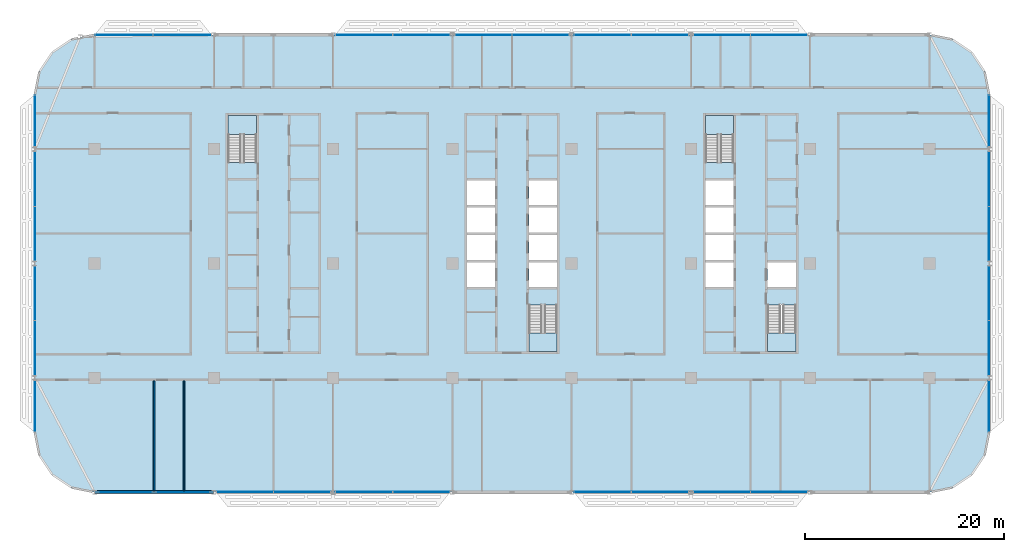
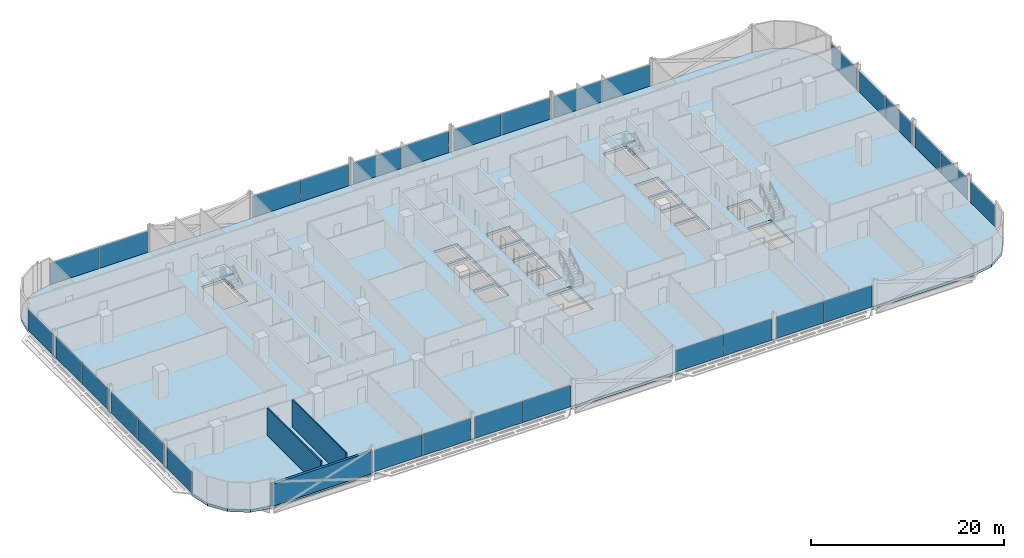
# One storey, part 10 of 27: 30 plates, 5 slabs, 3 walls, 21 elements without a shape of their own.
"""IFC4 building model written with IfcOpenShell, lengths in metres."""

from ifc_helpers import new_model, si_unit, direction, frame, frame_2d, origin, origin_2d, place, context, subcontext, project, spatial, polyline, rectangle, outline, extrude, material, layer, layer_set, type_object, element, aggregate, save


model = new_model("IFC4")

# Units and contexts
model_context = context("Model", 3, precision=1e-05, world=origin(), true_north=direction((0.0, 1.0)))
body_context = subcontext(model_context, "Body", "Model", "MODEL_VIEW")
ifc_project = project(units=[si_unit("LENGTHUNIT", "METRE"), si_unit("AREAUNIT", "SQUARE_METRE"), si_unit("VOLUMEUNIT", "CUBIC_METRE"), si_unit("PLANEANGLEUNIT", "RADIAN"), si_unit("MASSUNIT", "GRAM", prefix="KILO")], contexts=[model_context])

# Site, building, storey
site_placement = place(None, origin())
site = spatial("IfcSite", under=ifc_project, at=site_placement, CompositionType="ELEMENT")
building_placement = place(site_placement, origin())
building = spatial("IfcBuilding", under=site, at=building_placement, Name="Mahtab Terrace Research Tower", CompositionType="ELEMENT")
storey_placement = place(building_placement, frame((0.0, 0.0, 170.60009765625)))
storey = spatial("IfcBuildingStorey", under=building, at=storey_placement, Name="L40", CompositionType="ELEMENT", Elevation=170.60009765625)

# Stair, slab
ifc_material_1 = material(Name="Exit stair half-turn")
stair_type = type_object("IfcStairType", Name="Exit stair half-turn", PredefinedType="HALF_TURN_STAIR", material=ifc_material_1)
stair_1_placement = place(storey_placement, origin())
stair_1 = element("IfcStair", 1, at=stair_1_placement, inside=storey, type_object=stair_type, Name="L40 Protected exit stair ST1", PredefinedType="HALF_TURN_STAIR")
ifc_material_2 = material(Name="Concrete C40/50", Category="concrete")
ifc_layer_1 = layer(ifc_material_2, 0.199951171875)
ifc_layer_set_1 = layer_set([ifc_layer_1], Name="Exit stair landing 200")
slab_type_1 = type_object("IfcSlabType", Name="Exit stair landing 200", PredefinedType="LANDING", material=ifc_layer_set_1)
slab_1_placement = place(storey_placement, frame((0.0, 0.0, 1.699951171875)))
slab_1 = element("IfcSlab", 2, at=slab_1_placement, type_object=slab_type_1, Name="ST1 landing 1", PredefinedType="LANDING", context=body_context, shape_type="SweptSolid", body=[
    extrude(outline(polyline([(-25.699951171875, 12.97509765625), (-25.699951171875, 14.875), (-28.550048828125, 14.875), (-28.550048828125, 12.97509765625), (-25.699951171875, 12.97509765625)])), origin(), (0.0, 0.0, 1.0), 0.199951171875),
])
aggregate(stair_1, [slab_1])

stair_2_placement = place(storey_placement, origin())
stair_2 = element("IfcStair", 3, at=stair_2_placement, inside=storey, type_object=stair_type, Name="L40 Protected exit stair ST2", PredefinedType="HALF_TURN_STAIR")
slab_2_placement = place(storey_placement, frame((0.0, 0.0, 1.699951171875)))
slab_2 = element("IfcSlab", 4, at=slab_2_placement, type_object=slab_type_1, Name="ST2 landing 1", PredefinedType="LANDING", context=body_context, shape_type="SweptSolid", body=[
    extrude(outline(polyline([(1.699951171875, -6.97509765625), (1.699951171875, -8.875), (4.550048828125, -8.875), (4.550048828125, -6.97509765625), (1.699951171875, -6.97509765625)])), origin(), (0.0, 0.0, 1.0), 0.199951171875),
])
aggregate(stair_2, [slab_2])

stair_3_placement = place(storey_placement, origin())
stair_3 = element("IfcStair", 5, at=stair_3_placement, inside=storey, type_object=stair_type, Name="L40 Protected exit stair ST3", PredefinedType="HALF_TURN_STAIR")
slab_3_placement = place(storey_placement, frame((0.0, 0.0, 1.699951171875)))
slab_3 = element("IfcSlab", 6, at=slab_3_placement, type_object=slab_type_1, Name="ST3 landing 1", PredefinedType="LANDING", context=body_context, shape_type="SweptSolid", body=[
    extrude(outline(polyline([(22.300048828125, 12.97509765625), (22.300048828125, 14.875), (19.449951171875, 14.875), (19.449951171875, 12.97509765625), (22.300048828125, 12.97509765625)])), origin(), (0.0, 0.0, 1.0), 0.199951171875),
])
aggregate(stair_3, [slab_3])

stair_4_placement = place(storey_placement, origin())
stair_4 = element("IfcStair", 7, at=stair_4_placement, inside=storey, type_object=stair_type, Name="L40 Protected exit stair ST4", PredefinedType="HALF_TURN_STAIR")
slab_4_placement = place(storey_placement, frame((0.0, 0.0, 1.699951171875)))
slab_4 = element("IfcSlab", 8, at=slab_4_placement, type_object=slab_type_1, Name="ST4 landing 1", PredefinedType="LANDING", context=body_context, shape_type="SweptSolid", body=[
    extrude(outline(polyline([(25.699951171875, -6.97509765625), (25.699951171875, -8.875), (28.550048828125, -8.875), (28.550048828125, -6.97509765625), (25.699951171875, -6.97509765625)])), origin(), (0.0, 0.0, 1.0), 0.199951171875),
])
aggregate(stair_4, [slab_4])

# Curtain wall, plates
ifc_material_3 = material(Name="Laboratory ribbon curtain wall")
curtain_wall_type = type_object("IfcCurtainWallType", Name="Laboratory ribbon curtain wall", PredefinedType="NOTDEFINED", material=ifc_material_3)
curtain_wall_1_placement = place(storey_placement, origin())
curtain_wall_1 = element("IfcCurtainWall", 9, at=curtain_wall_1_placement, inside=storey, type_object=curtain_wall_type, Name="EN.L40.3.4", PredefinedType="NOTDEFINED")
ifc_material_4 = material(Name="Dark glazing", Category="glass")
ifc_layer_2 = layer(ifc_material_4, 0.031982421875)
ifc_layer_set_2 = layer_set([ifc_layer_2], Name="Laboratory ribbon curtain wall glazing panel")
plate_type = type_object("IfcPlateType", Name="Laboratory ribbon curtain wall glazing panel", PredefinedType="CURTAIN_PANEL", material=ifc_layer_set_2)
plate_1_placement = place(storey_placement, frame((26.879638671875, 23.0, 0.0), z_axis=(0.0, 0.0, 1.0), x_axis=(-1.0, 0.0, 0.0)))
plate_1 = element("IfcPlate", 10, at=plate_1_placement, type_object=plate_type, Name="CWL-5 panel 1", PredefinedType="CURTAIN_PANEL", context=body_context, shape_type="SweptSolid", body=[
    extrude(rectangle(XDim=5.694580078125, YDim=0.031982421875, at=origin_2d()), origin(), (0.0, 0.0, 1.0), 2.681884765625),
])
plate_2_placement = place(storey_placement, frame((21.120361328125, 23.0, 0.0), z_axis=(0.0, 0.0, 1.0), x_axis=(-1.0, 0.0, 0.0)))
plate_2 = element("IfcPlate", 11, at=plate_2_placement, type_object=plate_type, Name="CWL-5 panel 2", PredefinedType="CURTAIN_PANEL", context=body_context, shape_type="SweptSolid", body=[
    extrude(rectangle(XDim=5.694580078125, YDim=0.031982421875, at=origin_2d()), origin(), (0.0, 0.0, 1.0), 2.681884765625),
])
aggregate(curtain_wall_1, [plate_1, plate_2])

curtain_wall_2_placement = place(storey_placement, origin())
curtain_wall_2 = element("IfcCurtainWall", 12, at=curtain_wall_2_placement, inside=storey, type_object=curtain_wall_type, Name="EN.L40.3.5", PredefinedType="NOTDEFINED")
plate_3_placement = place(storey_placement, frame((14.879638671875, 23.0, 0.0), z_axis=(0.0, 0.0, 1.0), x_axis=(-1.0, 0.0, 0.0)))
plate_3 = element("IfcPlate", 13, at=plate_3_placement, type_object=plate_type, Name="CWL-5 panel 1", PredefinedType="CURTAIN_PANEL", context=body_context, shape_type="SweptSolid", body=[
    extrude(rectangle(XDim=5.694580078125, YDim=0.031982421875, at=origin_2d()), origin(), (0.0, 0.0, 1.0), 2.681884765625),
])
plate_4_placement = place(storey_placement, frame((9.120361328125, 23.0, 0.0), z_axis=(0.0, 0.0, 1.0), x_axis=(-1.0, 0.0, 0.0)))
plate_4 = element("IfcPlate", 14, at=plate_4_placement, type_object=plate_type, Name="CWL-5 panel 2", PredefinedType="CURTAIN_PANEL", context=body_context, shape_type="SweptSolid", body=[
    extrude(rectangle(XDim=5.694580078125, YDim=0.031982421875, at=origin_2d()), origin(), (0.0, 0.0, 1.0), 2.681884765625),
])
aggregate(curtain_wall_2, [plate_3, plate_4])

curtain_wall_3_placement = place(storey_placement, origin())
curtain_wall_3 = element("IfcCurtainWall", 15, at=curtain_wall_3_placement, inside=storey, type_object=curtain_wall_type, Name="EN.L40.3.6", PredefinedType="NOTDEFINED")
plate_5_placement = place(storey_placement, frame((2.879638671875, 23.0, 0.0), z_axis=(0.0, 0.0, 1.0), x_axis=(-1.0, 0.0, 0.0)))
plate_5 = element("IfcPlate", 16, at=plate_5_placement, type_object=plate_type, Name="CWL-5 panel 1", PredefinedType="CURTAIN_PANEL", context=body_context, shape_type="SweptSolid", body=[
    extrude(rectangle(XDim=5.694580078125, YDim=0.031982421875, at=origin_2d()), origin(), (0.0, 0.0, 1.0), 2.681884765625),
])
plate_6_placement = place(storey_placement, frame((-2.879638671875, 23.0, 0.0), z_axis=(0.0, 0.0, 1.0), x_axis=(-1.0, 0.0, 0.0)))
plate_6 = element("IfcPlate", 17, at=plate_6_placement, type_object=plate_type, Name="CWL-5 panel 2", PredefinedType="CURTAIN_PANEL", context=body_context, shape_type="SweptSolid", body=[
    extrude(rectangle(XDim=5.694580078125, YDim=0.031982421875, at=origin_2d()), origin(), (0.0, 0.0, 1.0), 2.681884765625),
])
aggregate(curtain_wall_3, [plate_5, plate_6])

curtain_wall_4_placement = place(storey_placement, origin())
curtain_wall_4 = element("IfcCurtainWall", 18, at=curtain_wall_4_placement, inside=storey, type_object=curtain_wall_type, Name="EN.L40.3.7", PredefinedType="NOTDEFINED")
plate_7_placement = place(storey_placement, frame((-9.120361328125, 23.0, 0.0), z_axis=(0.0, 0.0, 1.0), x_axis=(-1.0, 0.0, 0.0)))
plate_7 = element("IfcPlate", 19, at=plate_7_placement, type_object=plate_type, Name="CWL-5 panel 1", PredefinedType="CURTAIN_PANEL", context=body_context, shape_type="SweptSolid", body=[
    extrude(rectangle(XDim=5.694580078125, YDim=0.031982421875, at=origin_2d()), origin(), (0.0, 0.0, 1.0), 2.681884765625),
])
plate_8_placement = place(storey_placement, frame((-14.879638671875, 23.0, 0.0), z_axis=(0.0, 0.0, 1.0), x_axis=(-1.0, 0.0, 0.0)))
plate_8 = element("IfcPlate", 20, at=plate_8_placement, type_object=plate_type, Name="CWL-5 panel 2", PredefinedType="CURTAIN_PANEL", context=body_context, shape_type="SweptSolid", body=[
    extrude(rectangle(XDim=5.694580078125, YDim=0.031982421875, at=origin_2d()), origin(), (0.0, 0.0, 1.0), 2.681884765625),
])
aggregate(curtain_wall_4, [plate_7, plate_8])

curtain_wall_5_placement = place(storey_placement, origin())
curtain_wall_5 = element("IfcCurtainWall", 21, at=curtain_wall_5_placement, inside=storey, type_object=curtain_wall_type, Name="EN.L40.3.9", PredefinedType="NOTDEFINED")
plate_9_placement = place(storey_placement, frame((-33.17236328125, 23.0, 0.0), z_axis=(0.0, 0.0, 1.0), x_axis=(-1.0, 0.0, 0.0)))
plate_9 = element("IfcPlate", 22, at=plate_9_placement, type_object=plate_type, Name="CWL-5 panel 1", PredefinedType="CURTAIN_PANEL", context=body_context, shape_type="SweptSolid", body=[
    extrude(rectangle(XDim=5.798583984375, YDim=0.031982421875, at=origin_2d()), origin(), (0.0, 0.0, 1.0), 2.681884765625),
])
plate_10_placement = place(storey_placement, frame((-39.03564453125, 23.0, 0.0), z_axis=(0.0, 0.0, 1.0), x_axis=(-1.0, 0.0, 0.0)))
plate_10 = element("IfcPlate", 23, at=plate_10_placement, type_object=plate_type, Name="CWL-5 panel 2", PredefinedType="CURTAIN_PANEL", context=body_context, shape_type="SweptSolid", body=[
    extrude(rectangle(XDim=5.798583984375, YDim=0.031982421875, at=origin_2d()), origin(), (0.0, 0.0, 1.0), 2.681884765625),
])
aggregate(curtain_wall_5, [plate_9, plate_10])

# Curtain wall, plate
curtain_wall_6_placement = place(storey_placement, origin())
curtain_wall_6 = element("IfcCurtainWall", 24, at=curtain_wall_6_placement, inside=storey, type_object=curtain_wall_type, Name="EN.L40.8.15", PredefinedType="NOTDEFINED")
plate_11_placement = place(storey_placement, frame((-48.0, 14.35400390625, 0.0), z_axis=(0.0, 0.0, 1.0), x_axis=(0.0, -1.0, 0.0)))
plate_11 = element("IfcPlate", 25, at=plate_11_placement, type_object=plate_type, Name="CWL-5 panel 1", PredefinedType="CURTAIN_PANEL", context=body_context, shape_type="SweptSolid", body=[
    extrude(rectangle(XDim=5.162109375, YDim=0.031982421875, at=origin_2d()), origin(), (0.0, 0.0, 1.0), 2.681884765625),
])
aggregate(curtain_wall_6, [plate_11])

# Curtain wall, plates
curtain_wall_7_placement = place(storey_placement, origin())
curtain_wall_7 = element("IfcCurtainWall", 26, at=curtain_wall_7_placement, inside=storey, type_object=curtain_wall_type, Name="EN.L40.8.16", PredefinedType="NOTDEFINED")
plate_12_placement = place(storey_placement, frame((-48.0, 8.504638671875, 0.0), z_axis=(0.0, 0.0, 1.0), x_axis=(0.0, -1.0, 0.0)))
plate_12 = element("IfcPlate", 27, at=plate_12_placement, type_object=plate_type, Name="CWL-5 panel 1", PredefinedType="CURTAIN_PANEL", context=body_context, shape_type="SweptSolid", body=[
    extrude(rectangle(XDim=5.444580078125, YDim=0.031982421875, at=origin_2d()), origin(), (0.0, 0.0, 1.0), 2.681884765625),
])
plate_13_placement = place(storey_placement, frame((-48.0, 2.995361328125, 0.0), z_axis=(0.0, 0.0, 1.0), x_axis=(0.0, -1.0, 0.0)))
plate_13 = element("IfcPlate", 28, at=plate_13_placement, type_object=plate_type, Name="CWL-5 panel 2", PredefinedType="CURTAIN_PANEL", context=body_context, shape_type="SweptSolid", body=[
    extrude(rectangle(XDim=5.444580078125, YDim=0.031982421875, at=origin_2d()), origin(), (0.0, 0.0, 1.0), 2.681884765625),
])
aggregate(curtain_wall_7, [plate_12, plate_13])

curtain_wall_8_placement = place(storey_placement, origin())
curtain_wall_8 = element("IfcCurtainWall", 29, at=curtain_wall_8_placement, inside=storey, type_object=curtain_wall_type, Name="EN.L40.8.17", PredefinedType="NOTDEFINED")
plate_14_placement = place(storey_placement, frame((-48.0, -2.995361328125, 0.0), z_axis=(0.0, 0.0, 1.0), x_axis=(0.0, -1.0, 0.0)))
plate_14 = element("IfcPlate", 30, at=plate_14_placement, type_object=plate_type, Name="CWL-5 panel 1", PredefinedType="CURTAIN_PANEL", context=body_context, shape_type="SweptSolid", body=[
    extrude(rectangle(XDim=5.444580078125, YDim=0.031982421875, at=origin_2d()), origin(), (0.0, 0.0, 1.0), 2.681884765625),
])
plate_15_placement = place(storey_placement, frame((-48.0, -8.504638671875, 0.0), z_axis=(0.0, 0.0, 1.0), x_axis=(0.0, -1.0, 0.0)))
plate_15 = element("IfcPlate", 31, at=plate_15_placement, type_object=plate_type, Name="CWL-5 panel 2", PredefinedType="CURTAIN_PANEL", context=body_context, shape_type="SweptSolid", body=[
    extrude(rectangle(XDim=5.444580078125, YDim=0.031982421875, at=origin_2d()), origin(), (0.0, 0.0, 1.0), 2.681884765625),
])
aggregate(curtain_wall_8, [plate_14, plate_15])

# Curtain wall, plate
curtain_wall_9_placement = place(storey_placement, origin())
curtain_wall_9 = element("IfcCurtainWall", 32, at=curtain_wall_9_placement, inside=storey, type_object=curtain_wall_type, Name="EN.L40.8.18", PredefinedType="NOTDEFINED")
plate_16_placement = place(storey_placement, frame((-48.0, -14.35400390625, 0.0), z_axis=(0.0, 0.0, 1.0), x_axis=(0.0, -1.0, 0.0)))
plate_16 = element("IfcPlate", 33, at=plate_16_placement, type_object=plate_type, Name="CWL-5 panel 1", PredefinedType="CURTAIN_PANEL", context=body_context, shape_type="SweptSolid", body=[
    extrude(rectangle(XDim=5.162109375, YDim=0.031982421875, at=origin_2d()), origin(), (0.0, 0.0, 1.0), 2.681884765625),
])
aggregate(curtain_wall_9, [plate_16])

# Curtain wall, plates
curtain_wall_10_placement = place(storey_placement, origin())
curtain_wall_10 = element("IfcCurtainWall", 34, at=curtain_wall_10_placement, inside=storey, type_object=curtain_wall_type, Name="EN.L40.13.24", PredefinedType="NOTDEFINED")
plate_17_placement = place(storey_placement, frame((-26.879638671875, -23.0, 0.0), z_axis=(0.0, 0.0, 1.0), x_axis=(1.0, 0.0, 0.0)))
plate_17 = element("IfcPlate", 35, at=plate_17_placement, type_object=plate_type, Name="CWL-5 panel 1", PredefinedType="CURTAIN_PANEL", context=body_context, shape_type="SweptSolid", body=[
    extrude(rectangle(XDim=5.694580078125, YDim=0.031982421875, at=origin_2d()), origin(), (0.0, 0.0, 1.0), 2.681884765625),
])
plate_18_placement = place(storey_placement, frame((-21.120361328125, -23.0, 0.0), z_axis=(0.0, 0.0, 1.0), x_axis=(1.0, 0.0, 0.0)))
plate_18 = element("IfcPlate", 36, at=plate_18_placement, type_object=plate_type, Name="CWL-5 panel 2", PredefinedType="CURTAIN_PANEL", context=body_context, shape_type="SweptSolid", body=[
    extrude(rectangle(XDim=5.694580078125, YDim=0.031982421875, at=origin_2d()), origin(), (0.0, 0.0, 1.0), 2.681884765625),
])
aggregate(curtain_wall_10, [plate_17, plate_18])

curtain_wall_11_placement = place(storey_placement, origin())
curtain_wall_11 = element("IfcCurtainWall", 37, at=curtain_wall_11_placement, inside=storey, type_object=curtain_wall_type, Name="EN.L40.13.25", PredefinedType="NOTDEFINED")
plate_19_placement = place(storey_placement, frame((-14.879638671875, -23.0, 0.0), z_axis=(0.0, 0.0, 1.0), x_axis=(1.0, 0.0, 0.0)))
plate_19 = element("IfcPlate", 38, at=plate_19_placement, type_object=plate_type, Name="CWL-5 panel 1", PredefinedType="CURTAIN_PANEL", context=body_context, shape_type="SweptSolid", body=[
    extrude(rectangle(XDim=5.694580078125, YDim=0.031982421875, at=origin_2d()), origin(), (0.0, 0.0, 1.0), 2.681884765625),
])
plate_20_placement = place(storey_placement, frame((-9.120361328125, -23.0, 0.0), z_axis=(0.0, 0.0, 1.0), x_axis=(1.0, 0.0, 0.0)))
plate_20 = element("IfcPlate", 39, at=plate_20_placement, type_object=plate_type, Name="CWL-5 panel 2", PredefinedType="CURTAIN_PANEL", context=body_context, shape_type="SweptSolid", body=[
    extrude(rectangle(XDim=5.694580078125, YDim=0.031982421875, at=origin_2d()), origin(), (0.0, 0.0, 1.0), 2.681884765625),
])
aggregate(curtain_wall_11, [plate_19, plate_20])

curtain_wall_12_placement = place(storey_placement, origin())
curtain_wall_12 = element("IfcCurtainWall", 40, at=curtain_wall_12_placement, inside=storey, type_object=curtain_wall_type, Name="EN.L40.13.27", PredefinedType="NOTDEFINED")
plate_21_placement = place(storey_placement, frame((9.120361328125, -23.0, 0.0), z_axis=(0.0, 0.0, 1.0), x_axis=(1.0, 0.0, 0.0)))
plate_21 = element("IfcPlate", 41, at=plate_21_placement, type_object=plate_type, Name="CWL-5 panel 1", PredefinedType="CURTAIN_PANEL", context=body_context, shape_type="SweptSolid", body=[
    extrude(rectangle(XDim=5.694580078125, YDim=0.031982421875, at=origin_2d()), origin(), (0.0, 0.0, 1.0), 2.681884765625),
])
plate_22_placement = place(storey_placement, frame((14.879638671875, -23.0, 0.0), z_axis=(0.0, 0.0, 1.0), x_axis=(1.0, 0.0, 0.0)))
plate_22 = element("IfcPlate", 42, at=plate_22_placement, type_object=plate_type, Name="CWL-5 panel 2", PredefinedType="CURTAIN_PANEL", context=body_context, shape_type="SweptSolid", body=[
    extrude(rectangle(XDim=5.694580078125, YDim=0.031982421875, at=origin_2d()), origin(), (0.0, 0.0, 1.0), 2.681884765625),
])
aggregate(curtain_wall_12, [plate_21, plate_22])

curtain_wall_13_placement = place(storey_placement, origin())
curtain_wall_13 = element("IfcCurtainWall", 43, at=curtain_wall_13_placement, inside=storey, type_object=curtain_wall_type, Name="EN.L40.13.28", PredefinedType="NOTDEFINED")
plate_23_placement = place(storey_placement, frame((21.120361328125, -23.0, 0.0), z_axis=(0.0, 0.0, 1.0), x_axis=(1.0, 0.0, 0.0)))
plate_23 = element("IfcPlate", 44, at=plate_23_placement, type_object=plate_type, Name="CWL-5 panel 1", PredefinedType="CURTAIN_PANEL", context=body_context, shape_type="SweptSolid", body=[
    extrude(rectangle(XDim=5.694580078125, YDim=0.031982421875, at=origin_2d()), origin(), (0.0, 0.0, 1.0), 2.681884765625),
])
plate_24_placement = place(storey_placement, frame((26.879638671875, -23.0, 0.0), z_axis=(0.0, 0.0, 1.0), x_axis=(1.0, 0.0, 0.0)))
plate_24 = element("IfcPlate", 45, at=plate_24_placement, type_object=plate_type, Name="CWL-5 panel 2", PredefinedType="CURTAIN_PANEL", context=body_context, shape_type="SweptSolid", body=[
    extrude(rectangle(XDim=5.694580078125, YDim=0.031982421875, at=origin_2d()), origin(), (0.0, 0.0, 1.0), 2.681884765625),
])
aggregate(curtain_wall_13, [plate_23, plate_24])

# Curtain wall, plate
curtain_wall_14_placement = place(storey_placement, origin())
curtain_wall_14 = element("IfcCurtainWall", 46, at=curtain_wall_14_placement, inside=storey, type_object=curtain_wall_type, Name="EN.L40.18.34", PredefinedType="NOTDEFINED")
plate_25_placement = place(storey_placement, frame((48.0, -14.35400390625, 0.0), z_axis=(0.0, 0.0, 1.0), x_axis=(0.0, 1.0, 0.0)))
plate_25 = element("IfcPlate", 47, at=plate_25_placement, type_object=plate_type, Name="CWL-5 panel 1", PredefinedType="CURTAIN_PANEL", context=body_context, shape_type="SweptSolid", body=[
    extrude(rectangle(XDim=5.162109375, YDim=0.031982421875, at=origin_2d()), origin(), (0.0, 0.0, 1.0), 2.681884765625),
])
aggregate(curtain_wall_14, [plate_25])

# Curtain wall, plates
curtain_wall_15_placement = place(storey_placement, origin())
curtain_wall_15 = element("IfcCurtainWall", 48, at=curtain_wall_15_placement, inside=storey, type_object=curtain_wall_type, Name="EN.L40.18.35", PredefinedType="NOTDEFINED")
plate_26_placement = place(storey_placement, frame((48.0, -8.504638671875, 0.0), z_axis=(0.0, 0.0, 1.0), x_axis=(0.0, 1.0, 0.0)))
plate_26 = element("IfcPlate", 49, at=plate_26_placement, type_object=plate_type, Name="CWL-5 panel 1", PredefinedType="CURTAIN_PANEL", context=body_context, shape_type="SweptSolid", body=[
    extrude(rectangle(XDim=5.444580078125, YDim=0.031982421875, at=origin_2d()), origin(), (0.0, 0.0, 1.0), 2.681884765625),
])
plate_27_placement = place(storey_placement, frame((48.0, -2.995361328125, 0.0), z_axis=(0.0, 0.0, 1.0), x_axis=(0.0, 1.0, 0.0)))
plate_27 = element("IfcPlate", 50, at=plate_27_placement, type_object=plate_type, Name="CWL-5 panel 2", PredefinedType="CURTAIN_PANEL", context=body_context, shape_type="SweptSolid", body=[
    extrude(rectangle(XDim=5.444580078125, YDim=0.031982421875, at=origin_2d()), origin(), (0.0, 0.0, 1.0), 2.681884765625),
])
aggregate(curtain_wall_15, [plate_26, plate_27])

curtain_wall_16_placement = place(storey_placement, origin())
curtain_wall_16 = element("IfcCurtainWall", 51, at=curtain_wall_16_placement, inside=storey, type_object=curtain_wall_type, Name="EN.L40.18.36", PredefinedType="NOTDEFINED")
plate_28_placement = place(storey_placement, frame((48.0, 2.995361328125, 0.0), z_axis=(0.0, 0.0, 1.0), x_axis=(0.0, 1.0, 0.0)))
plate_28 = element("IfcPlate", 52, at=plate_28_placement, type_object=plate_type, Name="CWL-5 panel 1", PredefinedType="CURTAIN_PANEL", context=body_context, shape_type="SweptSolid", body=[
    extrude(rectangle(XDim=5.444580078125, YDim=0.031982421875, at=origin_2d()), origin(), (0.0, 0.0, 1.0), 2.681884765625),
])
plate_29_placement = place(storey_placement, frame((48.0, 8.504638671875, 0.0), z_axis=(0.0, 0.0, 1.0), x_axis=(0.0, 1.0, 0.0)))
plate_29 = element("IfcPlate", 53, at=plate_29_placement, type_object=plate_type, Name="CWL-5 panel 2", PredefinedType="CURTAIN_PANEL", context=body_context, shape_type="SweptSolid", body=[
    extrude(rectangle(XDim=5.444580078125, YDim=0.031982421875, at=origin_2d()), origin(), (0.0, 0.0, 1.0), 2.681884765625),
])
aggregate(curtain_wall_16, [plate_28, plate_29])

# Curtain wall, plate
curtain_wall_17_placement = place(storey_placement, origin())
curtain_wall_17 = element("IfcCurtainWall", 54, at=curtain_wall_17_placement, inside=storey, type_object=curtain_wall_type, Name="EN.L40.18.37", PredefinedType="NOTDEFINED")
plate_30_placement = place(storey_placement, frame((48.0, 14.35400390625, 0.0), z_axis=(0.0, 0.0, 1.0), x_axis=(0.0, 1.0, 0.0)))
plate_30 = element("IfcPlate", 55, at=plate_30_placement, type_object=plate_type, Name="CWL-5 panel 1", PredefinedType="CURTAIN_PANEL", context=body_context, shape_type="SweptSolid", body=[
    extrude(rectangle(XDim=5.162109375, YDim=0.031982421875, at=origin_2d()), origin(), (0.0, 0.0, 1.0), 2.681884765625),
])
aggregate(curtain_wall_17, [plate_30])

# Slab
ifc_layer_3 = layer(ifc_material_2, 0.340087890625)
ifc_layer_set_3 = layer_set([ifc_layer_3], Name="PT flat slab 340")
slab_type_2 = type_object("IfcSlabType", Name="PT flat slab 340", PredefinedType="FLOOR", material=ifc_layer_set_3)
slab_5_placement = place(storey_placement, frame((0.0, 0.0, -0.340087890625)))
element("IfcSlab", 56, at=slab_5_placement, inside=storey, type_object=slab_type_2, Name="Floor slab L40", PredefinedType="FLOOR", context=body_context, shape_type="SweptSolid", body=[
    extrude(outline(polyline([(47.54296875, 19.2958984375), (46.242919921875, 21.242919921875), (44.2958984375, 22.54296875), (42.0, 23.0), (-42.0, 23.0), (-44.2958984375, 22.54296875), (-46.242919921875, 21.242919921875), (-47.54296875, 19.2958984375), (-48.0, 17.0), (-48.0, -17.0), (-47.54296875, -19.2958984375), (-46.242919921875, -21.242919921875), (-44.2958984375, -22.54296875), (-42.0, -23.0), (42.0, -23.0), (44.2958984375, -22.54296875), (46.242919921875, -21.242919921875), (47.54296875, -19.2958984375), (48.0, -17.0), (48.0, 17.0), (47.54296875, 19.2958984375)]), holes=[polyline([(-4.550048828125, -2.375), (-4.550048828125, 0.125), (-1.699951171875, 0.125), (-1.699951171875, -2.375), (-4.550048828125, -2.375)]), polyline([(1.699951171875, -2.375), (1.699951171875, 0.125), (4.550048828125, 0.125), (4.550048828125, -2.375), (1.699951171875, -2.375)]), polyline([(-4.550048828125, 0.375), (-4.550048828125, 2.875), (-1.699951171875, 2.875), (-1.699951171875, 0.375), (-4.550048828125, 0.375)]), polyline([(1.699951171875, 0.375), (1.699951171875, 2.875), (4.550048828125, 2.875), (4.550048828125, 0.375), (1.699951171875, 0.375)]), polyline([(-4.550048828125, 3.125), (-4.550048828125, 5.625), (-1.699951171875, 5.625), (-1.699951171875, 3.125), (-4.550048828125, 3.125)]), polyline([(1.699951171875, 3.125), (1.699951171875, 5.625), (4.550048828125, 5.625), (4.550048828125, 3.125), (1.699951171875, 3.125)]), polyline([(-4.550048828125, 5.875), (-4.550048828125, 8.375), (-1.699951171875, 8.375), (-1.699951171875, 5.875), (-4.550048828125, 5.875)]), polyline([(1.699951171875, 5.875), (1.699951171875, 8.375), (4.550048828125, 8.375), (4.550048828125, 5.875), (1.699951171875, 5.875)]), polyline([(-28.550048828125, 10.177001953125), (-28.550048828125, 14.875), (-25.699951171875, 14.875), (-25.699951171875, 10.177001953125), (-28.550048828125, 10.177001953125)]), polyline([(1.699951171875, -8.875), (1.699951171875, -4.177001953125), (4.550048828125, -4.177001953125), (4.550048828125, -8.875), (1.699951171875, -8.875)]), polyline([(25.699951171875, -8.875), (25.699951171875, -4.177001953125), (28.550048828125, -4.177001953125), (28.550048828125, -8.875), (25.699951171875, -8.875)]), polyline([(19.449951171875, -2.375), (19.449951171875, 0.125), (22.300048828125, 0.125), (22.300048828125, -2.375), (19.449951171875, -2.375)]), polyline([(25.699951171875, -2.375), (25.699951171875, 0.125), (28.550048828125, 0.125), (28.550048828125, -2.375), (25.699951171875, -2.375)]), polyline([(19.449951171875, 0.375), (19.449951171875, 2.875), (22.300048828125, 2.875), (22.300048828125, 0.375), (19.449951171875, 0.375)]), polyline([(19.449951171875, 3.125), (19.449951171875, 5.625), (22.300048828125, 5.625), (22.300048828125, 3.125), (19.449951171875, 3.125)]), polyline([(19.449951171875, 8.375), (22.300048828125, 8.375), (22.300048828125, 5.875), (19.449951171875, 5.875), (19.449951171875, 8.375)]), polyline([(19.449951171875, 14.875), (22.300048828125, 14.875), (22.300048828125, 10.177001953125), (19.449951171875, 10.177001953125), (19.449951171875, 14.875)])]), origin(), (0.0, 0.0, 1.0), 0.340087890625),
])

# Walls
ifc_material_5 = material(Name="Black aluminium cladding panel", Category="aluminium")
ifc_layer_4 = layer(ifc_material_5, 0.300048828125)
ifc_layer_set_4 = layer_set([ifc_layer_4], Name="Opaque facade wall 300")
wall_type_1 = type_object("IfcWallType", Name="Opaque facade wall 300", PredefinedType="NOTDEFINED", material=ifc_layer_set_4)
wall_placement = place(storey_placement, frame((-41.985107421875, -23.0, 0.0), z_axis=(0.0, 0.0, 1.0), x_axis=(1.0, 0.0, 0.0)))
element("IfcWall", 57, at=wall_placement, inside=storey, type_object=wall_type_1, Name="Opaque facade wall L40 S23", PredefinedType="NOTDEFINED", context=body_context, shape_type="SweptSolid", body=[
    extrude(rectangle(XDim=11.97021484375, YDim=0.300048828125, at=frame_2d((5.985107421875, 0.0))), origin(), (0.0, 0.0, 1.0), 2.78173828125),
])
ifc_material_6 = material(Name="Gypsum board partition on steel studs", Category="steel")
ifc_layer_5 = layer(ifc_material_6, 0.14990234375)
ifc_layer_set_5 = layer_set([ifc_layer_5], Name="WALL PARTITION 150")
wall_type_2 = type_object("IfcWallType", Name="WALL PARTITION 150", PredefinedType="PARTITIONING", material=ifc_layer_set_5)
for number, where, z_axis, x_axis, name in (
    (58, (-36.0, -22.85009765625, 0.0), (0.0, 0.0, 1.0), (0.0, 1.0, 0.0), "L40-W030"),
    (59, (-33.0, -22.85009765625, 0.0), (0.0, 0.0, 1.0), (0.0, 1.0, 0.0), "L40-W031"),
):
    element("IfcWall", number, at=place(storey_placement, frame(where, z_axis=z_axis, x_axis=x_axis)), inside=storey, type_object=wall_type_2, Name=name, PredefinedType="PARTITIONING", context=body_context, shape_type="SweptSolid", body=[
        extrude(rectangle(XDim=11.050048828125, YDim=0.14990234375, at=frame_2d((5.52490234375, 0.0))), origin(), (0.0, 0.0, 1.0), 3.4599609375),
    ])

save(model, "model.ifc")
